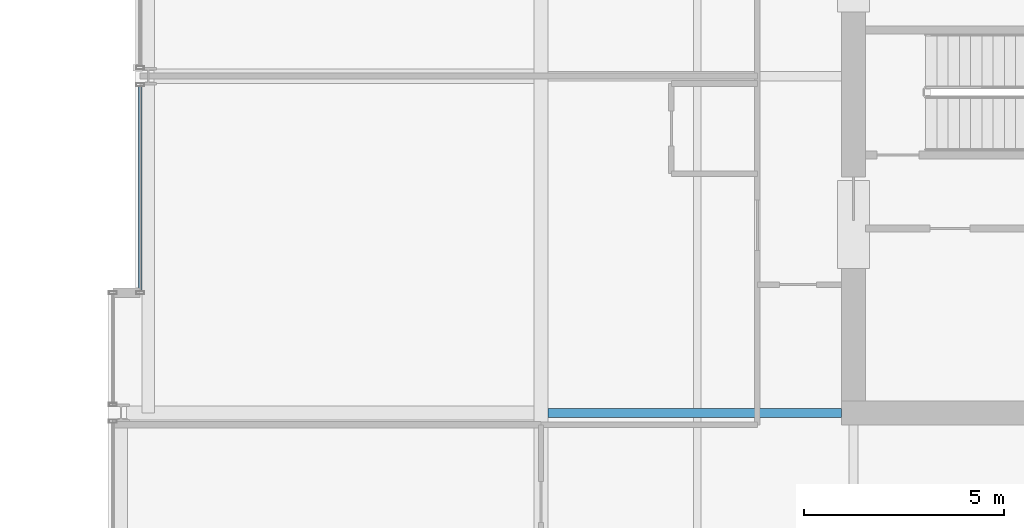
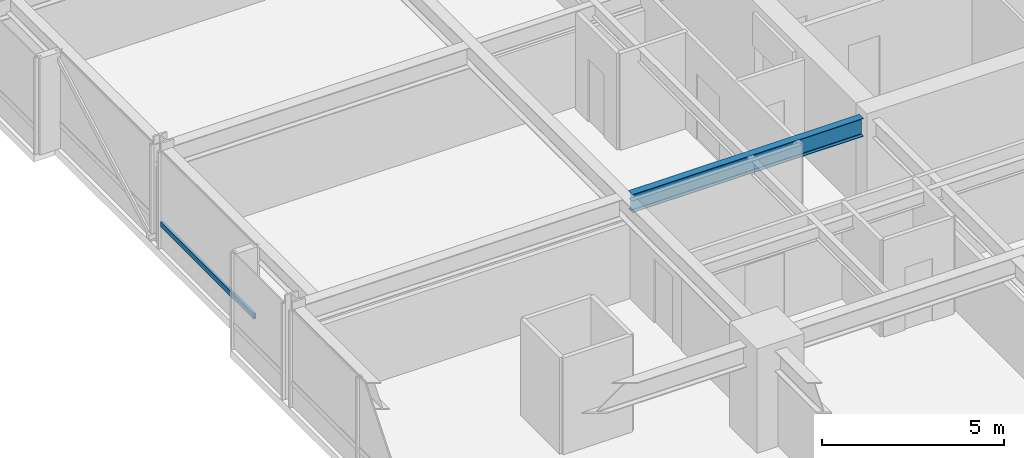
# One storey, part 8 of 35: 1 beam, 1 member, 1 element without a shape of its own.
"""IFC4 building model written with IfcOpenShell, lengths in metres."""

from ifc_helpers import new_model, si_unit, direction, frame, origin, origin_2d, place, context, subcontext, project, spatial, hollow_rectangle, i_section, extrude, material, layer, layer_set, material_profile, profile_set, type_object, element, aggregate, save


model = new_model("IFC4")

# Units and contexts
model_context = context("Model", 3, precision=1e-05, world=origin(), true_north=direction((0.0, 1.0)))
body_context = subcontext(model_context, "Body", "Model", "MODEL_VIEW")
ifc_project = project(units=[si_unit("LENGTHUNIT", "METRE"), si_unit("AREAUNIT", "SQUARE_METRE"), si_unit("VOLUMEUNIT", "CUBIC_METRE"), si_unit("PLANEANGLEUNIT", "RADIAN"), si_unit("MASSUNIT", "GRAM", prefix="KILO")], contexts=[model_context])

# Site, building, storey
site_placement = place(None, origin())
site = spatial("IfcSite", under=ifc_project, at=site_placement, CompositionType="ELEMENT")
building_placement = place(site_placement, origin())
building = spatial("IfcBuilding", under=site, at=building_placement, Name="Drelvath Grand Hotel", CompositionType="ELEMENT")
storey_placement = place(building_placement, frame((0.0, 0.0, 130.300048828125)))
storey = spatial("IfcBuildingStorey", under=building, at=storey_placement, Name="L33", CompositionType="ELEMENT", Elevation=130.300048828125)

# Curtain wall, member
ifc_material_1 = material(Name="Champagne Bronze Anodised Aluminium Frame", Category="aluminium")
ifc_layer = layer(ifc_material_1, 0.199951171875)
ifc_layer_set = layer_set([ifc_layer], Name="Champagne Bronze Anodised Aluminium Frame")
curtain_wall_type = type_object("IfcCurtainWallType", Name="Stick Curtain Wall CW-03 Champagne Bronze Mid-Rise", PredefinedType="NOTDEFINED", material=ifc_layer_set)
curtain_wall_placement = place(storey_placement, origin())
curtain_wall = element("IfcCurtainWall", 1, at=curtain_wall_placement, inside=storey, type_object=curtain_wall_type, Name="L33 CW-03 Curtain Wall CW03-L33-WM1", PredefinedType="NOTDEFINED")
ifc_material_profile_1 = material_profile(ifc_material_1, hollow_rectangle(XDim=0.074951171875, YDim=0.179931640625, WallThickness=0.0048828125, at=origin_2d()), Name="HSS180X75X5")
ifc_profile_set_1 = profile_set([ifc_material_profile_1], Name="Champagne Bronze Anodised Aluminium Frame")
member_type = type_object("IfcMemberType", Name="Curtain Wall Horizontal Transom CW-03 HSS180X75X5", PredefinedType="USERDEFINED", material=ifc_profile_set_1)
member_placement = place(storey_placement, frame((-26.199951171875, 21.639892578125, 0.81005859375), z_axis=(0.0, 1.0, 0.0), x_axis=(-1.0, 0.0, 0.0)))
member = element("IfcMember", 2, at=member_placement, type_object=member_type, Name="CW03-L33-WM1 Sill Transom", ObjectType="TRANSOM", PredefinedType="USERDEFINED", context=body_context, shape_type="SweptSolid", body=[
    extrude(hollow_rectangle(XDim=0.074951171875, YDim=0.179931640625, WallThickness=0.0048828125, at=origin_2d()), origin(), (0.0, 0.0, 1.0), 5.110595703125),
])
aggregate(curtain_wall, [member])

# Beam
ifc_material_2 = material(Name="Steel ASTM A992 Gr 50", Category="steel")
ifc_material_profile_2 = material_profile(ifc_material_2, i_section(OverallWidth=0.228271484375, OverallDepth=0.607666015625, WebThickness=0.01123046875, FlangeThickness=0.017333984375, FilletRadius=0.02001953125, at=origin_2d()), Name="W24X76")
ifc_profile_set_2 = profile_set([ifc_material_profile_2], Name="Steel ASTM A992 Gr 50")
beam_type = type_object("IfcBeamType", Name="Primary Floor Girder W24X76", PredefinedType="BEAM", material=ifc_profile_set_2)
beam_placement = place(storey_placement, frame((-16.022705078125, 18.60009765625, 2.93603515625), z_axis=(1.0, 0.0, 0.0), x_axis=(0.0, 1.0, 0.0)))
element("IfcBeam", 3, at=beam_placement, inside=storey, type_object=beam_type, Name="L33 West Core Tie D", PredefinedType="BEAM", context=body_context, shape_type="SweptSolid", body=[
    extrude(i_section(OverallWidth=0.228271484375, OverallDepth=0.607666015625, WebThickness=0.01123046875, FlangeThickness=0.017333984375, FilletRadius=0.02001953125, at=origin_2d()), origin(), (0.0, 0.0, 1.0), 7.32275390625),
])

save(model, "model.ifc")
